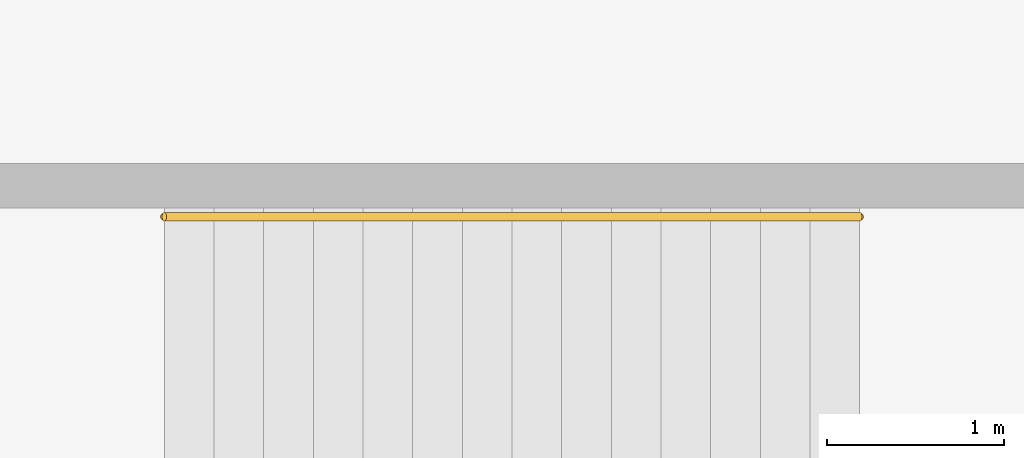
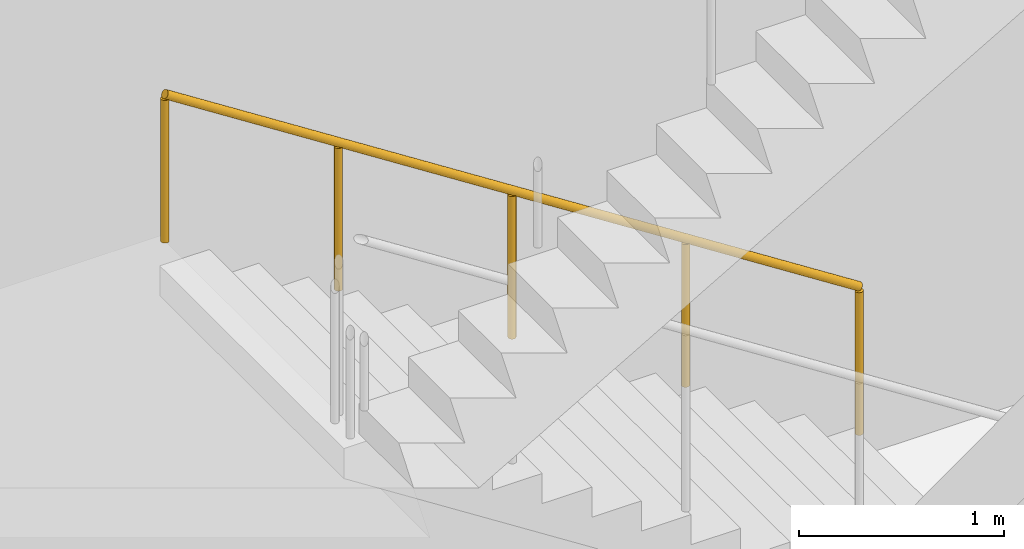
# One storey, part 44 of 44: 1 railing.
"""IFC4 building model written with IfcOpenShell, lengths in metres."""

from ifc_helpers import new_model, si_unit, direction, frame, origin, origin_2d, place, context, subcontext, project, spatial, circle, extrude, material, type_object, element, save


model = new_model("IFC4")

# Units and contexts
model_context = context("Model", 3, precision=1e-05, world=origin(), true_north=direction((0.0, 1.0)))
body_context = subcontext(model_context, "Body", "Model", "MODEL_VIEW")
ifc_project = project(units=[si_unit("LENGTHUNIT", "METRE"), si_unit("AREAUNIT", "SQUARE_METRE"), si_unit("VOLUMEUNIT", "CUBIC_METRE"), si_unit("PLANEANGLEUNIT", "RADIAN"), si_unit("MASSUNIT", "GRAM", prefix="KILO")], contexts=[model_context])

# Site, building, storey
site_placement = place(None, origin())
site = spatial("IfcSite", under=ifc_project, at=site_placement, CompositionType="ELEMENT")
building_placement = place(site_placement, origin())
building = spatial("IfcBuilding", under=site, at=building_placement, Name="Hunhe Ridgeline Campus", CompositionType="ELEMENT")
storey_placement = place(building_placement, frame((0.0, 0.0, 6.0)))
storey = spatial("IfcBuildingStorey", under=building, at=storey_placement, Name="L01", CompositionType="ELEMENT", Elevation=6.0)

# Railing
ifc_material = material(Name="Steel Q235", Category="steel")
railing_type = type_object("IfcRailingType", Name="Hall stair handrail", PredefinedType="HANDRAIL", material=ifc_material)
railing_placement = place(storey_placement, frame((207.800048828125, 69.050048828125, 0.179931640625)))
element("IfcRailing", 1, at=railing_placement, inside=storey, type_object=railing_type, Name="L01 HS4 stair handrail 1", PredefinedType="HANDRAIL", context=body_context, shape_type="SweptSolid", body=[
    extrude(circle(Radius=0.02392578125, at=origin_2d()), frame((0.0, 0.0, 0.8759765625), z_axis=(-0.841186985886, 0.0, 0.540744352514), x_axis=(0.0, -1.0, 0.0)), (0.0, 0.0, 1.0), 4.660400390625),
    extrude(circle(Radius=0.02099609375, at=origin_2d()), origin(), (0.0, 0.0, 1.0), 0.851806640625),
    extrude(circle(Radius=0.02099609375, at=origin_2d()), frame((-0.97998046875, 0.0, 0.6298828125)), (0.0, 0.0, 1.0), 0.851806640625),
    extrude(circle(Radius=0.02099609375, at=origin_2d()), frame((-1.9599609375, 0.0, 1.260009765625)), (0.0, 0.0, 1.0), 0.851806640625),
    extrude(circle(Radius=0.02099609375, at=origin_2d()), frame((-2.940185546875, 0.0, 1.89013671875)), (0.0, 0.0, 1.0), 0.851806640625),
    extrude(circle(Radius=0.02099609375, at=origin_2d()), frame((-3.920166015625, 0.0, 2.52001953125)), (0.0, 0.0, 1.0), 0.851806640625),
])

save(model, "model.ifc")
